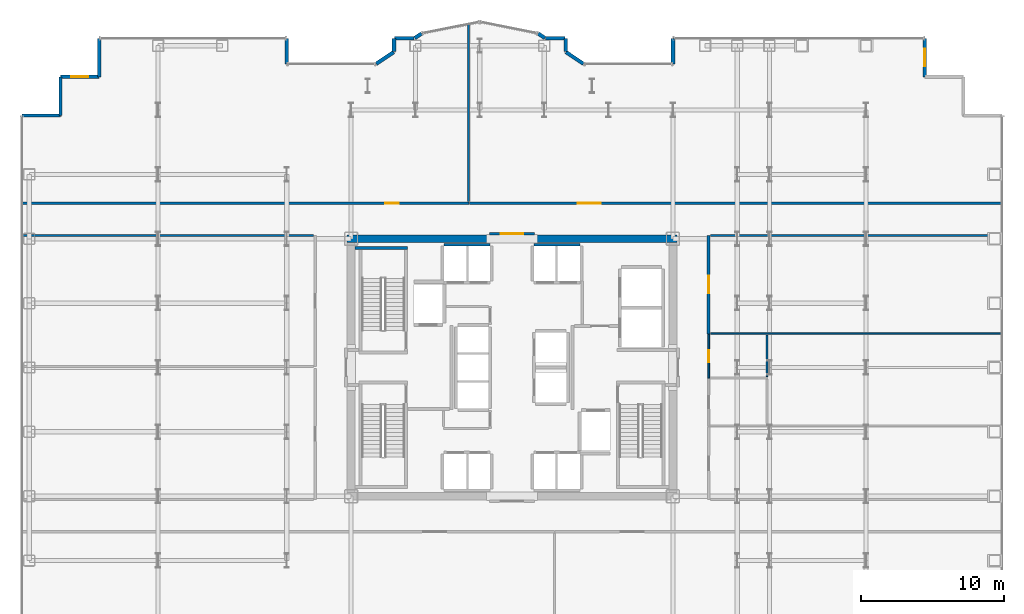
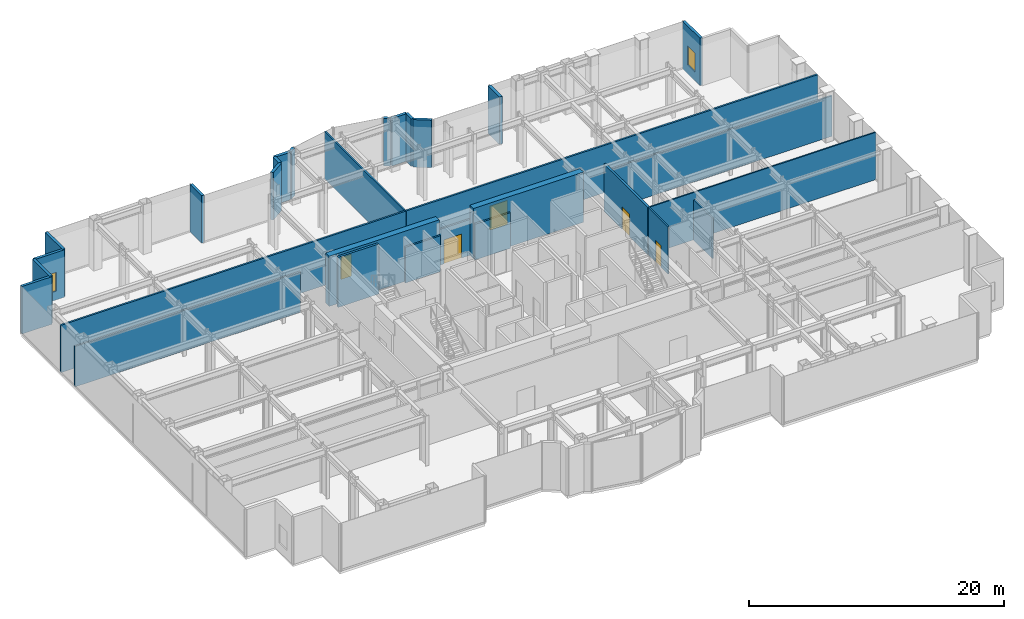
# One storey, part 23 of 27: 30 walls, 5 doors, 2 windows, 7 openings.
"""IFC4 building model written with IfcOpenShell, lengths in metres."""

from ifc_helpers import new_model, si_unit, direction, frame, frame_2d, origin, place, context, subcontext, project, spatial, rectangle, extrude, source, transform, mapped, material, layer, layer_set, type_object, element, fill, save


model = new_model("IFC4")

# Units and contexts
model_context = context("Model", 3, precision=1e-05, world=origin(), true_north=direction((0.0, 1.0)))
body_context = subcontext(model_context, "Body", "Model", "MODEL_VIEW")
ifc_project = project(units=[si_unit("LENGTHUNIT", "METRE"), si_unit("AREAUNIT", "SQUARE_METRE"), si_unit("VOLUMEUNIT", "CUBIC_METRE"), si_unit("PLANEANGLEUNIT", "RADIAN"), si_unit("MASSUNIT", "GRAM", prefix="KILO")], contexts=[model_context])

# Site, building, storey
site_placement = place(None, origin())
site = spatial("IfcSite", under=ifc_project, at=site_placement, CompositionType="ELEMENT")
building_placement = place(site_placement, origin())
building = spatial("IfcBuilding", under=site, at=building_placement, Name="Nefas-Gora Pilgrimage Tower", CompositionType="ELEMENT")
storey_placement = place(building_placement, frame((0.0, 0.0, 144.0)))
storey = spatial("IfcBuildingStorey", under=building, at=storey_placement, Name="L35", CompositionType="ELEMENT", Elevation=144.0)

# Walls
ifc_material_1 = material(Name="Concrete C60/75", Category="concrete")
ifc_layer_1 = layer(ifc_material_1, 0.550048828125)
ifc_layer_set_1 = layer_set([ifc_layer_1], Name="Concrete C60/75")
wall_type_1 = type_object("IfcWallType", Name="SW-CORE-550", PredefinedType="SHEAR", material=ifc_layer_set_1)
shared_shape_1 = source(origin(), body_context, "Body", "SweptSolid", [
    extrude(rectangle(XDim=9.974853515625, YDim=0.550048828125, at=frame_2d((4.9873046875, 0.0))), origin(), (0.0, 0.0, 1.0), 4.800048828125),
])
for number, where, z_axis, x_axis, name in (
    (1, (-11.52490234375, 9.0, 0.0), (0.0, 0.0, 1.0), (1.0, 0.0, 0.0), "L35 Core Shear Wall N-West"),
    (2, (1.550048828125, 9.0, 0.0), (0.0, 0.0, 1.0), (1.0, 0.0, 0.0), "L35 Core Shear Wall N-East"),
):
    element("IfcWall", number, at=place(storey_placement, frame(where, z_axis=z_axis, x_axis=x_axis)), inside=storey, type_object=wall_type_1, Name=name, PredefinedType="SHEAR", context=body_context, shape_type="MappedRepresentation", body=[
        mapped(shared_shape_1, transform((0.0, 0.0, 0.0), x_axis=(1.0, 0.0, 0.0), y_axis=(0.0, 1.0, 0.0), z_axis=(0.0, 0.0, 1.0), scale=1.0)),
    ])
ifc_material_2 = material(Name="Precast concrete C40/50", Category="concrete")
ifc_layer_2 = layer(ifc_material_2, 0.260009765625)
ifc_layer_set_2 = layer_set([ifc_layer_2], Name="Precast concrete C40/50")
wall_type_2 = type_object("IfcWallType", Name="EW-PORTAL-260", PredefinedType="SOLIDWALL", material=ifc_layer_set_2)
shared_shape_2 = source(origin(), body_context, "Body", "SweptSolid", [
    extrude(rectangle(XDim=1.800048828125, YDim=0.260009765625, at=frame_2d((0.89990234375, 0.0))), origin(), (0.0, 0.0, 1.0), 4.550048828125),
])
for number, where, z_axis, x_axis, name in (
    (3, (11.25, 23.02001953125, 0.0), (0.0, 0.0, 1.0), (0.0, -1.0, 0.0), "L35 Lobe Shoulder Precast Spandrel Pier 10"),
    (4, (-15.75, 21.219970703125, 0.0), (0.0, 0.0, 1.0), (0.0, 1.0, 0.0), "L35 Lobe Shoulder Precast Spandrel Pier 19"),
):
    element("IfcWall", number, at=place(storey_placement, frame(where, z_axis=z_axis, x_axis=x_axis)), inside=storey, type_object=wall_type_2, Name=name, PredefinedType="SOLIDWALL", context=body_context, shape_type="MappedRepresentation", body=[
        mapped(shared_shape_2, transform((0.0, 0.0, 0.0), x_axis=(1.0, 0.0, 0.0), y_axis=(0.0, 1.0, 0.0), z_axis=(0.0, 0.0, 1.0), scale=1.0)),
    ])

# Wall, opening, window
ifc_material_3 = material(Name="Precast concrete C45/55", Category="concrete")
ifc_layer_3 = layer(ifc_material_3, 0.239990234375)
ifc_layer_set_3 = layer_set([ifc_layer_3], Name="Precast concrete C45/55")
wall_type_3 = type_object("IfcWallType", Name="EW-SERR-240", PredefinedType="SHEAR", material=ifc_layer_set_3)
shared_shape_3 = source(origin(), body_context, "Body", "SweptSolid", [
    extrude(rectangle(XDim=2.699951171875, YDim=0.239990234375, at=frame_2d((1.35009765625, 0.0))), origin(), (0.0, 0.0, 1.0), 4.550048828125),
])
wall_1_placement = place(storey_placement, frame((28.8701171875, 20.320068359375, 0.0), z_axis=(0.0, 0.0, 1.0), x_axis=(0.0, 1.0, 0.0)))
wall_1 = element("IfcWall", 5, at=wall_1_placement, inside=storey, type_object=wall_type_3, Name="L35 Serrated Corner Shear Pier Wall 9", PredefinedType="SHEAR", context=body_context, shape_type="MappedRepresentation", body=[
    mapped(shared_shape_3, transform((0.0, 0.0, 0.0), x_axis=(1.0, 0.0, 0.0), y_axis=(0.0, 1.0, 0.0), z_axis=(0.0, 0.0, 1.0), scale=1.0)),
])
opening_1_placement = place(wall_1_placement, frame((0.75, 0.0, 0.85009765625)))
opening_1 = element("IfcOpeningElement", 6, at=opening_1_placement, cuts=wall_1, Name="Opening W-V1", PredefinedType="OPENING", context=body_context, shape_type="SweptSolid", body=[
    extrude(rectangle(XDim=1.199951171875, YDim=1.800048828125, at=frame_2d((0.60009765625, 0.89990234375))), frame((0.0, 0.1298828125, 0.0), z_axis=(0.0, -1.0, 0.0), x_axis=(1.0, 0.0, 0.0)), (0.0, 0.0, 1.0), 0.260009765625),
])
ifc_material_4 = material(Name="Dark ceramic-fritted operable aluminium-glass window", Category="aluminium")
window_type = type_object("IfcWindowType", Name="WIN-VENT-1200x1800", PartitioningType="SINGLE_PANEL", PredefinedType="WINDOW", material=ifc_material_4)
shared_shape_4 = source(origin(), body_context, "Body", "SweptSolid", [
    extrude(rectangle(XDim=1.199951171875, YDim=1.800048828125, at=frame_2d((0.60009765625, 0.89990234375))), frame((0.0, 0.030029296875, 0.0), z_axis=(0.0, -1.0, 0.0), x_axis=(1.0, 0.0, 0.0)), (0.0, 0.0, 1.0), 0.06005859375),
])
window_1_placement = place(opening_1_placement, origin())
window_1 = element("IfcWindow", 7, at=window_1_placement, inside=storey, type_object=window_type, Name="L35 Operable Parallel-Outswing Window 9", OverallHeight=1.800048828125, OverallWidth=1.199951171875, PartitioningType="SINGLE_PANEL", PredefinedType="WINDOW", context=body_context, shape_type="MappedRepresentation", body=[
    mapped(shared_shape_4, transform((0.0, 0.0, 0.0), x_axis=(1.0, 0.0, 0.0), y_axis=(0.0, 1.0, 0.0), z_axis=(0.0, 0.0, 1.0), scale=1.0)),
])
fill(opening_1, window_1)

# Wall
wall_2_placement = place(storey_placement, frame((-28.8701171875, 23.02001953125, 0.0), z_axis=(0.0, 0.0, 1.0), x_axis=(0.0, -1.0, 0.0)))
element("IfcWall", 8, at=wall_2_placement, inside=storey, type_object=wall_type_3, Name="L35 Serrated Corner Shear Pier Wall 20", PredefinedType="SHEAR", context=body_context, shape_type="MappedRepresentation", body=[
    mapped(shared_shape_3, transform((0.0, 0.0, 0.0), x_axis=(1.0, 0.0, 0.0), y_axis=(0.0, 1.0, 0.0), z_axis=(0.0, 0.0, 1.0), scale=1.0)),
])

# Wall, opening, window
wall_3_placement = place(storey_placement, frame((-28.8701171875, 20.320068359375, 0.0), z_axis=(0.0, 0.0, 1.0), x_axis=(-1.0, 0.0, 0.0)))
wall_3 = element("IfcWall", 9, at=wall_3_placement, inside=storey, type_object=wall_type_3, Name="L35 Serrated Corner Shear Pier Wall 21", PredefinedType="SHEAR", context=body_context, shape_type="MappedRepresentation", body=[
    mapped(shared_shape_3, transform((0.0, 0.0, 0.0), x_axis=(1.0, 0.0, 0.0), y_axis=(0.0, 1.0, 0.0), z_axis=(0.0, 0.0, 1.0), scale=1.0)),
])
opening_2_placement = place(wall_3_placement, frame((0.75, 0.0, 0.85009765625)))
opening_2 = element("IfcOpeningElement", 10, at=opening_2_placement, cuts=wall_3, Name="Opening W-V1", PredefinedType="OPENING", context=body_context, shape_type="SweptSolid", body=[
    extrude(rectangle(XDim=1.199951171875, YDim=1.800048828125, at=frame_2d((0.60009765625, 0.89990234375))), frame((0.0, 0.1298828125, 0.0), z_axis=(0.0, -1.0, 0.0), x_axis=(1.0, 0.0, 0.0)), (0.0, 0.0, 1.0), 0.260009765625),
])
window_2_placement = place(opening_2_placement, origin())
window_2 = element("IfcWindow", 11, at=window_2_placement, inside=storey, type_object=window_type, Name="L35 Operable Parallel-Outswing Window 21", OverallHeight=1.800048828125, OverallWidth=1.199951171875, PartitioningType="SINGLE_PANEL", PredefinedType="WINDOW", context=body_context, shape_type="MappedRepresentation", body=[
    mapped(shared_shape_4, transform((0.0, 0.0, 0.0), x_axis=(1.0, 0.0, 0.0), y_axis=(0.0, 1.0, 0.0), z_axis=(0.0, 0.0, 1.0), scale=1.0)),
])
fill(opening_2, window_2)

# Walls
for number, where, z_axis, x_axis, name in (
    (12, (-31.570068359375, 20.320068359375, 0.0), (0.0, 0.0, 1.0), (0.0, -1.0, 0.0), "L35 Serrated Corner Shear Pier Wall 22"),
    (13, (-31.570068359375, 17.6201171875, 0.0), (0.0, 0.0, 1.0), (-1.0, 0.0, 0.0), "L35 Serrated Corner Shear Pier Wall 23"),
):
    element("IfcWall", number, at=place(storey_placement, frame(where, z_axis=z_axis, x_axis=x_axis)), inside=storey, type_object=wall_type_3, Name=name, PredefinedType="SHEAR", context=body_context, shape_type="MappedRepresentation", body=[
        mapped(shared_shape_3, transform((0.0, 0.0, 0.0), x_axis=(1.0, 0.0, 0.0), y_axis=(0.0, 1.0, 0.0), z_axis=(0.0, 0.0, 1.0), scale=1.0)),
    ])
shared_shape_5 = source(origin(), body_context, "Body", "SweptSolid", [
    extrude(rectangle(XDim=1.468994140625, YDim=0.260009765625, at=frame_2d((0.734375, 0.0))), origin(), (0.0, 0.0, 1.0), 4.550048828125),
])
for number, where, z_axis, x_axis, name in (
    (14, (4.99462890625, 21.235595703125, 0.0), (0.0, 0.0, 1.0), (-0.831461760506, 0.555581983884, 0.0), "L35 Lobe Shoulder Precast Spandrel Pier 11"),
    (15, (-8.273193359375, 22.0517578125, 0.0), (0.0, 0.0, 1.0), (-0.831461760506, -0.555581983884, 0.0), "L35 Lobe Shoulder Precast Spandrel Pier 18"),
):
    element("IfcWall", number, at=place(storey_placement, frame(where, z_axis=z_axis, x_axis=x_axis)), inside=storey, type_object=wall_type_2, Name=name, PredefinedType="SOLIDWALL", context=body_context, shape_type="MappedRepresentation", body=[
        mapped(shared_shape_5, transform((0.0, 0.0, 0.0), x_axis=(1.0, 0.0, 0.0), y_axis=(0.0, 1.0, 0.0), z_axis=(0.0, 0.0, 1.0), scale=1.0)),
    ])
shared_shape_6 = source(origin(), body_context, "Body", "SweptSolid", [
    extrude(rectangle(XDim=0.896728515625, YDim=0.260009765625, at=frame_2d((0.4482421875, 0.0))), origin(), (0.0, 0.0, 1.0), 4.550048828125),
])
for number, where, z_axis, x_axis, name in (
    (16, (3.75, 22.09521484375, 0.0), (0.0, 0.0, 1.0), (0.0, 1.0, 0.0), "L35 Lobe Shoulder Precast Spandrel Pier 12"),
    (17, (-8.25, 22.991943359375, 0.0), (0.0, 0.0, 1.0), (0.0, -1.0, 0.0), "L35 Lobe Shoulder Precast Spandrel Pier 17"),
):
    element("IfcWall", number, at=place(storey_placement, frame(where, z_axis=z_axis, x_axis=x_axis)), inside=storey, type_object=wall_type_2, Name=name, PredefinedType="SOLIDWALL", context=body_context, shape_type="MappedRepresentation", body=[
        mapped(shared_shape_6, transform((0.0, 0.0, 0.0), x_axis=(1.0, 0.0, 0.0), y_axis=(0.0, 1.0, 0.0), z_axis=(0.0, 0.0, 1.0), scale=1.0)),
    ])
shared_shape_7 = source(origin(), body_context, "Body", "SweptSolid", [
    extrude(rectangle(XDim=1.369873046875, YDim=0.260009765625, at=frame_2d((0.68505859375, 0.0))), origin(), (0.0, 0.0, 1.0), 4.550048828125),
])
for number, where, z_axis, x_axis, name in (
    (18, (3.721923828125, 23.02001953125, 0.0), (0.0, 0.0, 1.0), (-1.0, 0.0, 0.0), "L35 Lobe Shoulder Precast Spandrel Pier 13"),
    (19, (-6.85205078125, 23.02001953125, 0.0), (0.0, 0.0, 1.0), (-1.0, 0.0, 0.0), "L35 Lobe Shoulder Precast Spandrel Pier 16"),
):
    element("IfcWall", number, at=place(storey_placement, frame(where, z_axis=z_axis, x_axis=x_axis)), inside=storey, type_object=wall_type_2, Name=name, PredefinedType="SOLIDWALL", context=body_context, shape_type="MappedRepresentation", body=[
        mapped(shared_shape_7, transform((0.0, 0.0, 0.0), x_axis=(1.0, 0.0, 0.0), y_axis=(0.0, 1.0, 0.0), z_axis=(0.0, 0.0, 1.0), scale=1.0)),
    ])
shared_shape_8 = source(origin(), body_context, "Body", "SweptSolid", [
    extrude(rectangle(XDim=0.5654296875, YDim=0.260009765625, at=frame_2d((0.28271484375, 0.0))), origin(), (0.0, 0.0, 1.0), 4.550048828125),
])
for number, where, z_axis, x_axis, name in (
    (20, (2.30078125, 23.03564453125, 0.0), (0.0, 0.0, 1.0), (-0.831651492666, 0.555297933317, 0.0), "L35 Lobe Shoulder Precast Spandrel Pier 14"),
    (21, (-6.33056640625, 23.349609375, 0.0), (0.0, 0.0, 1.0), (-0.831651492666, -0.555297933317, 0.0), "L35 Lobe Shoulder Precast Spandrel Pier 15"),
):
    element("IfcWall", number, at=place(storey_placement, frame(where, z_axis=z_axis, x_axis=x_axis)), inside=storey, type_object=wall_type_2, Name=name, PredefinedType="SOLIDWALL", context=body_context, shape_type="MappedRepresentation", body=[
        mapped(shared_shape_8, transform((0.0, 0.0, 0.0), x_axis=(1.0, 0.0, 0.0), y_axis=(0.0, 1.0, 0.0), z_axis=(0.0, 0.0, 1.0), scale=1.0)),
    ])
ifc_material_5 = material(Name="Concrete C45/55", Category="concrete")
ifc_layer_4 = layer(ifc_material_5, 0.199951171875)
ifc_layer_set_4 = layer_set([ifc_layer_4], Name="Concrete C45/55")
wall_type_4 = type_object("IfcWallType", Name="IW-STAIR-200", PredefinedType="SOLIDWALL", material=ifc_layer_set_4)
shared_shape_9 = source(origin(), body_context, "Body", "SweptSolid", [
    extrude(rectangle(XDim=3.679931640625, YDim=0.199951171875, at=frame_2d((1.83984375, 0.0))), origin(), (0.0, 0.0, 1.0), 4.800048828125),
])
wall_4_placement = place(storey_placement, frame((-7.300048828125, 8.35009765625, 0.0), z_axis=(0.0, 0.0, 1.0), x_axis=(-1.0, 0.0, 0.0)))
element("IfcWall", 22, at=wall_4_placement, inside=storey, type_object=wall_type_4, Name="L35 Stairwell Shear Wall ST-01-far", PredefinedType="SOLIDWALL", context=body_context, shape_type="MappedRepresentation", body=[
    mapped(shared_shape_9, transform((0.0, 0.0, 0.0), x_axis=(1.0, 0.0, 0.0), y_axis=(0.0, 1.0, 0.0), z_axis=(0.0, 0.0, 1.0), scale=1.0)),
])
ifc_material_6 = material(Name="Gypsum acoustic stud partition")
ifc_layer_5 = layer(ifc_material_6, 0.159912109375)
ifc_layer_set_5 = layer_set([ifc_layer_5], Name="Gypsum acoustic stud partition")
wall_type_5 = type_object("IfcWallType", Name="IW-CORR-160", PredefinedType="PARTITIONING", material=ifc_layer_set_5)
shared_shape_10 = source(origin(), body_context, "Body", "SweptSolid", [
    extrude(rectangle(XDim=3.199951171875, YDim=0.159912109375, at=frame_2d((1.60009765625, 0.0))), origin(), (0.0, 0.0, 1.0), 3.425048828125),
])
for number, where, z_axis, x_axis, name in (
    (23, (-1.550048828125, 8.580078125, 0.0), (0.0, 0.0, 1.0), (-1.0, 0.0, 0.0), "L35 Hoistway Wall PL1-W-N"),
    (24, (4.75, 8.580078125, 0.0), (0.0, 0.0, 1.0), (-1.0, 0.0, 0.0), "L35 Hoistway Wall PL1-E-N"),
):
    element("IfcWall", number, at=place(storey_placement, frame(where, z_axis=z_axis, x_axis=x_axis)), inside=storey, type_object=wall_type_5, Name=name, PredefinedType="PARTITIONING", context=body_context, shape_type="MappedRepresentation", body=[
        mapped(shared_shape_10, transform((0.0, 0.0, 0.0), x_axis=(1.0, 0.0, 0.0), y_axis=(0.0, 1.0, 0.0), z_axis=(0.0, 0.0, 1.0), scale=1.0)),
    ])

# Wall, opening, door
shared_shape_11 = source(origin(), body_context, "Body", "SweptSolid", [
    extrude(rectangle(XDim=3.16015625, YDim=0.159912109375, at=frame_2d((1.580078125, 0.0))), origin(), (0.0, 0.0, 1.0), 3.425048828125),
])
wall_5_placement = place(storey_placement, frame((-1.580078125, 9.35009765625, 0.0), z_axis=(0.0, 0.0, 1.0), x_axis=(1.0, 0.0, 0.0)))
wall_5 = element("IfcWall", 25, at=wall_5_placement, inside=storey, type_object=wall_type_5, Name="L35 Central Lift Lobby North Portal Wall 13", PredefinedType="PARTITIONING", context=body_context, shape_type="MappedRepresentation", body=[
    mapped(shared_shape_11, transform((0.0, 0.0, 0.0), x_axis=(1.0, 0.0, 0.0), y_axis=(0.0, 1.0, 0.0), z_axis=(0.0, 0.0, 1.0), scale=1.0)),
])
opening_3_placement = place(wall_5_placement, frame((0.780029296875, 0.0, 0.0)))
opening_3 = element("IfcOpeningElement", 26, at=opening_3_placement, cuts=wall_5, Name="Opening ID-HL1", PredefinedType="OPENING", context=body_context, shape_type="SweptSolid", body=[
    extrude(rectangle(XDim=1.60009765625, YDim=2.300048828125, at=frame_2d((0.800048828125, 1.14990234375))), frame((0.0, 0.08984375, 0.0), z_axis=(0.0, -1.0, 0.0), x_axis=(1.0, 0.0, 0.0)), (0.0, 0.0, 1.0), 0.179931640625),
])
ifc_material_7 = material(Name="Double acoustic timber assembly hall door", Category="wood")
door_type_1 = type_object("IfcDoorType", Name="DR-INT-HALL-1600", OperationType="DOUBLE_DOOR_SINGLE_SWING", PredefinedType="DOOR", material=ifc_material_7)
shared_shape_12 = source(origin(), body_context, "Body", "SweptSolid", [
    extrude(rectangle(XDim=1.60009765625, YDim=2.300048828125, at=frame_2d((0.800048828125, 1.14990234375))), frame((0.0, 0.02490234375, 0.0), z_axis=(0.0, -1.0, 0.0), x_axis=(1.0, 0.0, 0.0)), (0.0, 0.0, 1.0), 0.050048828125),
])
door_1_placement = place(opening_3_placement, origin())
door_1 = element("IfcDoor", 27, at=door_1_placement, inside=storey, type_object=door_type_1, Name="L35 Central Lift Lobby North Portal Door 4", OperationType="DOUBLE_DOOR_SINGLE_SWING", OverallHeight=2.300048828125, OverallWidth=1.60009765625, PredefinedType="DOOR", context=body_context, shape_type="MappedRepresentation", body=[
    mapped(shared_shape_12, transform((0.0, 0.0, 0.0), x_axis=(1.0, 0.0, 0.0), y_axis=(0.0, 1.0, 0.0), z_axis=(0.0, 0.0, 1.0), scale=1.0)),
])
fill(opening_3, door_1)

shared_shape_13 = source(origin(), body_context, "Body", "SweptSolid", [
    extrude(rectangle(XDim=31.27001953125, YDim=0.159912109375, at=frame_2d((15.635009765625, 0.0))), origin(), (0.0, 0.0, 1.0), 4.534912109375),
])
wall_6_placement = place(storey_placement, frame((-34.2900390625, 11.47998046875, 0.0), z_axis=(0.0, 0.0, 1.0), x_axis=(1.0, 0.0, 0.0)))
wall_6 = element("IfcWall", 28, at=wall_6_placement, inside=storey, type_object=wall_type_5, Name="L35 North Panorama Sky Lobby Partition Wall 21", PredefinedType="PARTITIONING", context=body_context, shape_type="MappedRepresentation", body=[
    mapped(shared_shape_13, transform((0.0, 0.0, 0.0), x_axis=(1.0, 0.0, 0.0), y_axis=(0.0, 1.0, 0.0), z_axis=(0.0, 0.0, 1.0), scale=1.0)),
])
opening_4_placement = place(wall_6_placement, frame((25.4150390625, 0.0, 0.0)))
opening_4 = element("IfcOpeningElement", 29, at=opening_4_placement, cuts=wall_6, Name="Opening ID-GR1", PredefinedType="OPENING", context=body_context, shape_type="SweptSolid", body=[
    extrude(rectangle(XDim=0.949951171875, YDim=2.10009765625, at=frame_2d((0.47509765625, 1.050048828125))), frame((0.0, 0.08984375, 0.0), z_axis=(0.0, -1.0, 0.0), x_axis=(1.0, 0.0, 0.0)), (0.0, 0.0, 1.0), 0.179931640625),
])
ifc_material_8 = material(Name="Solid core oak fire-rated guest entrance door")
door_type_2 = type_object("IfcDoorType", Name="DR-INT-GUEST-950", OperationType="NOTDEFINED", PredefinedType="DOOR", material=ifc_material_8)
shared_shape_14 = source(origin(), body_context, "Body", "SweptSolid", [
    extrude(rectangle(XDim=0.949951171875, YDim=2.10009765625, at=frame_2d((0.47509765625, 1.050048828125))), frame((0.0, 0.02490234375, 0.0), z_axis=(0.0, -1.0, 0.0), x_axis=(1.0, 0.0, 0.0)), (0.0, 0.0, 1.0), 0.050048828125),
])
door_2_placement = place(opening_4_placement, origin())
door_2 = element("IfcDoor", 30, at=door_2_placement, inside=storey, type_object=door_type_2, Name="L35 North Panorama Sky Lobby Door 8", OperationType="SINGLE_SWING_RIGHT", OverallHeight=2.10009765625, OverallWidth=0.949951171875, PredefinedType="DOOR", context=body_context, shape_type="MappedRepresentation", body=[
    mapped(shared_shape_14, transform((0.0, 0.0, 0.0), x_axis=(1.0, 0.0, 0.0), y_axis=(0.0, 1.0, 0.0), z_axis=(0.0, 0.0, 1.0), scale=1.0)),
])
fill(opening_4, door_2)

# Wall
ifc_material_9 = material(Name="Gypsum twin-stud partition")
ifc_layer_6 = layer(ifc_material_9, 0.139892578125)
ifc_layer_set_6 = layer_set([ifc_layer_6], Name="Gypsum twin-stud partition")
wall_type_6 = type_object("IfcWallType", Name="IW-UNIT-140", PredefinedType="PARTITIONING", material=ifc_layer_set_6)
shared_shape_15 = source(origin(), body_context, "Body", "SweptSolid", [
    extrude(rectangle(XDim=12.449462890625, YDim=0.139892578125, at=frame_2d((6.224609375, 0.0))), origin(), (0.0, 0.0, 1.0), 4.534912109375),
])
wall_7_placement = place(storey_placement, frame((-3.030029296875, 11.60009765625, 0.0), z_axis=(0.0, 0.0, 1.0), x_axis=(0.0, 1.0, 0.0)))
element("IfcWall", 31, at=wall_7_placement, inside=storey, type_object=wall_type_6, Name="L35 North Panorama Sky Lobby Partition Wall 22", PredefinedType="PARTITIONING", context=body_context, shape_type="MappedRepresentation", body=[
    mapped(shared_shape_15, transform((0.0, 0.0, 0.0), x_axis=(1.0, 0.0, 0.0), y_axis=(0.0, 1.0, 0.0), z_axis=(0.0, 0.0, 1.0), scale=1.0)),
])

# Wall, opening, door
shared_shape_16 = source(origin(), body_context, "Body", "SweptSolid", [
    extrude(rectangle(XDim=37.27001953125, YDim=0.159912109375, at=frame_2d((18.635009765625, 0.0))), origin(), (0.0, 0.0, 1.0), 4.534912109375),
])
wall_8_placement = place(storey_placement, frame((-2.97998046875, 11.47998046875, 0.0), z_axis=(0.0, 0.0, 1.0), x_axis=(1.0, 0.0, 0.0)))
wall_8 = element("IfcWall", 32, at=wall_8_placement, inside=storey, type_object=wall_type_5, Name="L35 Sky Transfer Concierge Hall Partition Wall 23", PredefinedType="PARTITIONING", context=body_context, shape_type="MappedRepresentation", body=[
    mapped(shared_shape_16, transform((0.0, 0.0, 0.0), x_axis=(1.0, 0.0, 0.0), y_axis=(0.0, 1.0, 0.0), z_axis=(0.0, 0.0, 1.0), scale=1.0)),
])
opening_5_placement = place(wall_8_placement, frame((7.580078125, 0.0, 0.0)))
opening_5 = element("IfcOpeningElement", 33, at=opening_5_placement, cuts=wall_8, Name="Opening ID-HL1", PredefinedType="OPENING", context=body_context, shape_type="SweptSolid", body=[
    extrude(rectangle(XDim=1.60009765625, YDim=2.300048828125, at=frame_2d((0.800048828125, 1.14990234375))), frame((0.0, 0.08984375, 0.0), z_axis=(0.0, -1.0, 0.0), x_axis=(1.0, 0.0, 0.0)), (0.0, 0.0, 1.0), 0.179931640625),
])
door_3_placement = place(opening_5_placement, origin())
door_3 = element("IfcDoor", 34, at=door_3_placement, inside=storey, type_object=door_type_1, Name="L35 Sky Transfer Concierge Hall Door 9", OperationType="DOUBLE_DOOR_SINGLE_SWING", OverallHeight=2.300048828125, OverallWidth=1.60009765625, PredefinedType="DOOR", context=body_context, shape_type="MappedRepresentation", body=[
    mapped(shared_shape_12, transform((0.0, 0.0, 0.0), x_axis=(1.0, 0.0, 0.0), y_axis=(0.0, 1.0, 0.0), z_axis=(0.0, 0.0, 1.0), scale=1.0)),
])
fill(opening_5, door_3)

# Wall
shared_shape_17 = source(origin(), body_context, "Body", "SweptSolid", [
    extrude(rectangle(XDim=20.419921875, YDim=0.139892578125, at=frame_2d((10.2099609375, 0.0))), origin(), (0.0, 0.0, 1.0), 3.875),
])
wall_9_placement = place(storey_placement, frame((-34.2900390625, 9.22998046875, 0.0), z_axis=(0.0, 0.0, 1.0), x_axis=(1.0, 0.0, 0.0)))
element("IfcWall", 35, at=wall_9_placement, inside=storey, type_object=wall_type_6, Name="L35 Pilgrim Reading Library Partition Wall 29", PredefinedType="PARTITIONING", context=body_context, shape_type="MappedRepresentation", body=[
    mapped(shared_shape_17, transform((0.0, 0.0, 0.0), x_axis=(1.0, 0.0, 0.0), y_axis=(0.0, 1.0, 0.0), z_axis=(0.0, 0.0, 1.0), scale=1.0)),
])

# Wall, opening, door
ifc_material_10 = material(Name="Concrete C40/50", Category="concrete")
ifc_layer_7 = layer(ifc_material_10, 0.199951171875)
ifc_layer_set_7 = layer_set([ifc_layer_7], Name="Concrete C40/50")
wall_type_7 = type_object("IfcWallType", Name="IW-PLANT-200", PredefinedType="SOLIDWALL", material=ifc_layer_set_7)
shared_shape_18 = source(origin(), body_context, "Body", "SweptSolid", [
    extrude(rectangle(XDim=6.8798828125, YDim=0.199951171875, at=frame_2d((3.43994140625, 0.0))), origin(), (0.0, 0.0, 1.0), 4.534912109375),
])
wall_10_placement = place(storey_placement, frame((13.75, 2.360107421875, 0.0), z_axis=(0.0, 0.0, 1.0), x_axis=(0.0, 1.0, 0.0)))
wall_10 = element("IfcWall", 36, at=wall_10_placement, inside=storey, type_object=wall_type_7, Name="L35 Sky Floor Refuge Area Partition Wall 32", PredefinedType="SOLIDWALL", context=body_context, shape_type="MappedRepresentation", body=[
    mapped(shared_shape_18, transform((0.0, 0.0, 0.0), x_axis=(1.0, 0.0, 0.0), y_axis=(0.0, 1.0, 0.0), z_axis=(0.0, 0.0, 1.0), scale=1.0)),
])
opening_6_placement = place(wall_10_placement, frame((2.840087890625, 0.0, 0.0)))
opening_6 = element("IfcOpeningElement", 37, at=opening_6_placement, cuts=wall_10, Name="Opening ID-PL1", PredefinedType="OPENING", context=body_context, shape_type="SweptSolid", body=[
    extrude(rectangle(XDim=1.199951171875, YDim=2.14990234375, at=frame_2d((0.60009765625, 1.074951171875))), frame((0.0, 0.10986328125, 0.0), z_axis=(0.0, -1.0, 0.0), x_axis=(1.0, 0.0, 0.0)), (0.0, 0.0, 1.0), 0.219970703125),
])
ifc_material_11 = material(Name="Heavy-duty steel plant room fire door", Category="steel")
door_type_3 = type_object("IfcDoorType", Name="DR-INT-PLANT-1200", OperationType="NOTDEFINED", PredefinedType="DOOR", material=ifc_material_11)
shared_shape_19 = source(origin(), body_context, "Body", "SweptSolid", [
    extrude(rectangle(XDim=1.199951171875, YDim=2.14990234375, at=frame_2d((0.60009765625, 1.074951171875))), frame((0.0, 0.02490234375, 0.0), z_axis=(0.0, -1.0, 0.0), x_axis=(1.0, 0.0, 0.0)), (0.0, 0.0, 1.0), 0.050048828125),
])
door_4_placement = place(opening_6_placement, origin())
door_4 = element("IfcDoor", 38, at=door_4_placement, inside=storey, type_object=door_type_3, Name="L35 Sky Floor Refuge Area Door 14", OperationType="SINGLE_SWING_LEFT", OverallHeight=2.14990234375, OverallWidth=1.199951171875, PredefinedType="DOOR", context=body_context, shape_type="MappedRepresentation", body=[
    mapped(shared_shape_19, transform((0.0, 0.0, 0.0), x_axis=(1.0, 0.0, 0.0), y_axis=(0.0, 1.0, 0.0), z_axis=(0.0, 0.0, 1.0), scale=1.0)),
])
fill(opening_6, door_4)

# Walls
shared_shape_20 = source(origin(), body_context, "Body", "SweptSolid", [
    extrude(rectangle(XDim=20.400146484375, YDim=0.139892578125, at=frame_2d((10.2001953125, 0.0))), origin(), (0.0, 0.0, 1.0), 3.875),
])
wall_11_placement = place(storey_placement, frame((13.889892578125, 9.22998046875, 0.0), z_axis=(0.0, 0.0, 1.0), x_axis=(1.0, 0.0, 0.0)))
element("IfcWall", 39, at=wall_11_placement, inside=storey, type_object=wall_type_6, Name="L35 Sky Floor Refuge Area Partition Wall 33", PredefinedType="PARTITIONING", context=body_context, shape_type="MappedRepresentation", body=[
    mapped(shared_shape_20, transform((0.0, 0.0, 0.0), x_axis=(1.0, 0.0, 0.0), y_axis=(0.0, 1.0, 0.0), z_axis=(0.0, 0.0, 1.0), scale=1.0)),
])
ifc_material_12 = material(Name="Moisture-resistant fire-rated gypsum partition")
ifc_layer_8 = layer(ifc_material_12, 0.1201171875)
ifc_layer_set_8 = layer_set([ifc_layer_8], Name="Moisture-resistant fire-rated gypsum partition")
wall_type_8 = type_object("IfcWallType", Name="IW-WET-120", PredefinedType="PLUMBINGWALL", material=ifc_layer_set_8)
shared_shape_21 = source(origin(), body_context, "Body", "SweptSolid", [
    extrude(rectangle(XDim=20.400146484375, YDim=0.1201171875, at=frame_2d((10.2001953125, 0.0))), origin(), (0.0, 0.0, 1.0), 4.534912109375),
])
wall_12_placement = place(storey_placement, frame((13.889892578125, 2.3701171875, 0.0), z_axis=(0.0, 0.0, 1.0), x_axis=(1.0, 0.0, 0.0)))
element("IfcWall", 40, at=wall_12_placement, inside=storey, type_object=wall_type_8, Name="L35 Sky Floor Refuge Area Partition Wall 34", PredefinedType="PLUMBINGWALL", context=body_context, shape_type="MappedRepresentation", body=[
    mapped(shared_shape_21, transform((0.0, 0.0, 0.0), x_axis=(1.0, 0.0, 0.0), y_axis=(0.0, 1.0, 0.0), z_axis=(0.0, 0.0, 1.0), scale=1.0)),
])

# Wall, opening, door
shared_shape_22 = source(origin(), body_context, "Body", "SweptSolid", [
    extrude(rectangle(XDim=3.06005859375, YDim=0.1201171875, at=frame_2d((1.530029296875, 0.0))), origin(), (0.0, 0.0, 1.0), 4.534912109375),
])
wall_13_placement = place(storey_placement, frame((13.75, -0.739990234375, 0.0), z_axis=(0.0, 0.0, 1.0), x_axis=(0.0, 1.0, 0.0)))
wall_13 = element("IfcWall", 41, at=wall_13_placement, inside=storey, type_object=wall_type_8, Name="L35 Sky Lobby Accessible WC Partition Wall 35", PredefinedType="PLUMBINGWALL", context=body_context, shape_type="MappedRepresentation", body=[
    mapped(shared_shape_22, transform((0.0, 0.0, 0.0), x_axis=(1.0, 0.0, 0.0), y_axis=(0.0, 1.0, 0.0), z_axis=(0.0, 0.0, 1.0), scale=1.0)),
])
opening_7_placement = place(wall_13_placement, frame((1.10498046875, 0.0, 0.0)))
opening_7 = element("IfcOpeningElement", 42, at=opening_7_placement, cuts=wall_13, Name="Opening ID-BT1", PredefinedType="OPENING", context=body_context, shape_type="SweptSolid", body=[
    extrude(rectangle(XDim=0.85009765625, YDim=2.10009765625, at=frame_2d((0.425048828125, 1.050048828125))), frame((0.0, 0.070068359375, 0.0), z_axis=(0.0, -1.0, 0.0), x_axis=(1.0, 0.0, 0.0)), (0.0, 0.0, 1.0), 0.14013671875),
])
ifc_material_13 = material(Name="Moisture-resistant fire-rated timber door", Category="wood")
door_type_4 = type_object("IfcDoorType", Name="DR-INT-BATH-850", OperationType="NOTDEFINED", PredefinedType="DOOR", material=ifc_material_13)
shared_shape_23 = source(origin(), body_context, "Body", "SweptSolid", [
    extrude(rectangle(XDim=0.85009765625, YDim=2.10009765625, at=frame_2d((0.425048828125, 1.050048828125))), frame((0.0, 0.02490234375, 0.0), z_axis=(0.0, -1.0, 0.0), x_axis=(1.0, 0.0, 0.0)), (0.0, 0.0, 1.0), 0.050048828125),
])
door_5_placement = place(opening_7_placement, origin())
door_5 = element("IfcDoor", 43, at=door_5_placement, inside=storey, type_object=door_type_4, Name="L35 Sky Lobby Accessible WC Door 15", OperationType="SINGLE_SWING_RIGHT", OverallHeight=2.10009765625, OverallWidth=0.85009765625, PredefinedType="DOOR", context=body_context, shape_type="MappedRepresentation", body=[
    mapped(shared_shape_23, transform((0.0, 0.0, 0.0), x_axis=(1.0, 0.0, 0.0), y_axis=(0.0, 1.0, 0.0), z_axis=(0.0, 0.0, 1.0), scale=1.0)),
])
fill(opening_7, door_5)

# Wall
shared_shape_24 = source(origin(), body_context, "Body", "SweptSolid", [
    extrude(rectangle(XDim=2.89990234375, YDim=0.1201171875, at=frame_2d((1.449951171875, 0.0))), origin(), (0.0, 0.0, 1.0), 3.875),
])
wall_14_placement = place(storey_placement, frame((17.830078125, -0.6298828125, 0.0), z_axis=(0.0, 0.0, 1.0), x_axis=(0.0, 1.0, 0.0)))
element("IfcWall", 44, at=wall_14_placement, inside=storey, type_object=wall_type_8, Name="L35 Sky Lobby Accessible WC Partition Wall 37", PredefinedType="PLUMBINGWALL", context=body_context, shape_type="MappedRepresentation", body=[
    mapped(shared_shape_24, transform((0.0, 0.0, 0.0), x_axis=(1.0, 0.0, 0.0), y_axis=(0.0, 1.0, 0.0), z_axis=(0.0, 0.0, 1.0), scale=1.0)),
])

save(model, "model.ifc")
